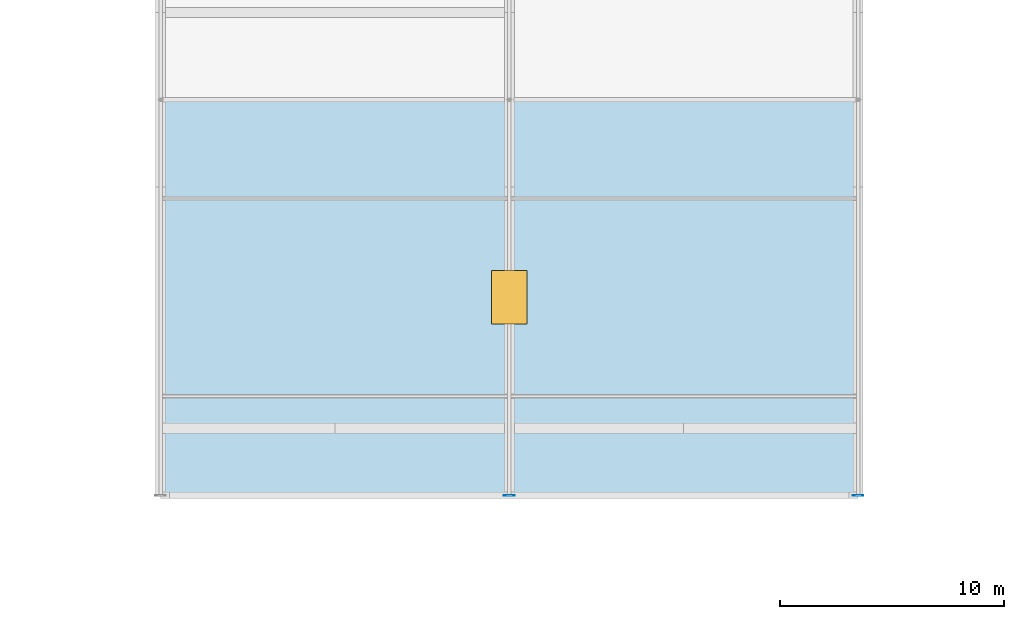
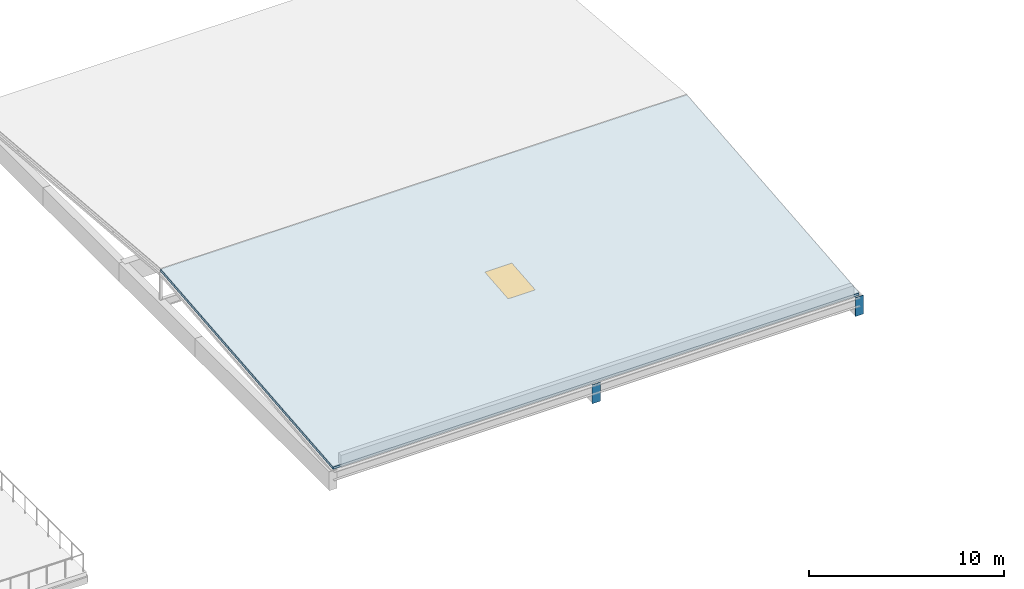
# One storey, part 19 of 45: 2 plates, 1 slab, 1 window, 1 opening.
"""IFC4 building model written with IfcOpenShell, lengths in metres."""

from ifc_helpers import new_model, si_unit, direction, frame, origin, origin_2d, place, context, subcontext, project, spatial, polyline, rectangle, outline, extrude, material, layer, layer_set, type_object, element, fill, save


model = new_model("IFC4")

# Units and contexts
model_context = context("Model", 3, precision=1e-05, world=origin(), true_north=direction((0.0, 1.0)))
body_context = subcontext(model_context, "Body", "Model", "MODEL_VIEW")
ifc_project = project(units=[si_unit("LENGTHUNIT", "METRE"), si_unit("AREAUNIT", "SQUARE_METRE"), si_unit("VOLUMEUNIT", "CUBIC_METRE"), si_unit("PLANEANGLEUNIT", "RADIAN"), si_unit("MASSUNIT", "GRAM", prefix="KILO")], contexts=[model_context])

# Site, building, storey
site_placement = place(None, origin())
site = spatial("IfcSite", under=ifc_project, at=site_placement, CompositionType="ELEMENT")
building_placement = place(site_placement, origin())
building = spatial("IfcBuilding", under=site, at=building_placement, Name="Celorna Specialist Clinic", CompositionType="ELEMENT")
storey_placement = place(building_placement, frame((0.0, 0.0, 18.60009765625)))
storey = spatial("IfcBuildingStorey", under=building, at=storey_placement, Name="L04", CompositionType="ELEMENT", Elevation=18.60009765625)

# Plates
ifc_material_1 = material(Name="Steel S355", Category="steel")
ifc_layer_1 = layer(ifc_material_1, 0.02490234375, Name="Steel S355")
ifc_layer_set_1 = layer_set([ifc_layer_1], Name="Steel S355")
plate_type = type_object("IfcPlateType", Name="EP-01", PredefinedType="SHEET", material=ifc_layer_set_1)
for number, where, z_axis, x_axis, name in (
    (1, (70.199951171875, 5.699951171875, -1.3251953125), (0.0, 0.0, 1.0), (1.0, 0.0, 0.0), "Truss chord end cap plate EP-01 #31"),
    (2, (85.800048828125, 5.699951171875, -1.3251953125), (0.0, 0.0, 1.0), (1.0, 0.0, 0.0), "Truss chord end cap plate EP-01 #53"),
):
    element("IfcPlate", number, at=place(storey_placement, frame(where, z_axis=z_axis, x_axis=x_axis)), inside=storey, type_object=plate_type, Name=name, PredefinedType="SHEET", context=body_context, shape_type="SweptSolid", body=[
        extrude(rectangle(XDim=0.47998046875, YDim=0.02490234375, at=origin_2d()), origin(), (0.0, 0.0, 1.0), 1.179931640625),
    ])

# Slab, opening, window
ifc_material_2 = material(Name="Precast concrete C40/50", Category="concrete")
ifc_layer_2 = layer(ifc_material_2, 0.159912109375, Name="Precast concrete C40/50")
ifc_layer_set_2 = layer_set([ifc_layer_2], Name="Precast concrete C40/50")
slab_type = type_object("IfcSlabType", Name="SL-13", PredefinedType="ROOF", material=ifc_layer_set_2)
slab_placement = place(storey_placement, frame((54.60009765625, 5.699951171875, 0.079833984375), z_axis=(0.0, -0.093942626089, 0.995577612747), x_axis=(1.0, 0.0, 0.0)))
slab = element("IfcSlab", 3, at=slab_placement, inside=storey, type_object=slab_type, Name="Sloped roof slab ROOF-V6-SOUTH", PredefinedType="ROOF", context=body_context, shape_type="SweptSolid", body=[
    extrude(outline(polyline([(0.0, 0.0), (31.199951171875, 0.0), (31.199951171875, 17.778574914950518), (0.0, 17.778574914950518), (0.0, 0.0)])), origin(), (0.0, 0.0, -1.0), 0.159912109375),
])
opening_placement = place(slab_placement, frame((15.599853515625, 8.889404296875, 0.010009765625)))
opening = element("IfcOpeningElement", 4, at=opening_placement, cuts=slab, Name="Opening SK-02", PredefinedType="OPENING", context=body_context, shape_type="SweptSolid", body=[
    extrude(rectangle(XDim=1.60009765625, YDim=2.39990234375, at=origin_2d()), origin(), (0.0, 0.0, -1.0), 0.179931640625),
])
ifc_material_3 = material(Name="Outpatient atrium skylight lantern")
window_type = type_object("IfcWindowType", Name="SK-02", PartitioningType="SINGLE_PANEL", PredefinedType="SKYLIGHT", material=ifc_material_3)
window_placement = place(opening_placement, frame((0.0, 0.0, -0.010009765625)))
window = element("IfcWindow", 5, at=window_placement, inside=storey, type_object=window_type, Name="Roof skylight SK-02 on ROOF-V6-SOUTH", OverallHeight=2.39990234375, OverallWidth=1.60009765625, PartitioningType="SINGLE_PANEL", PredefinedType="SKYLIGHT", context=body_context, shape_type="SweptSolid", body=[
    extrude(rectangle(XDim=1.60009765625, YDim=2.39990234375, at=origin_2d()), origin(), (0.0, 0.0, -1.0), 0.050048828125),
])
fill(opening, window)

save(model, "model.ifc")
